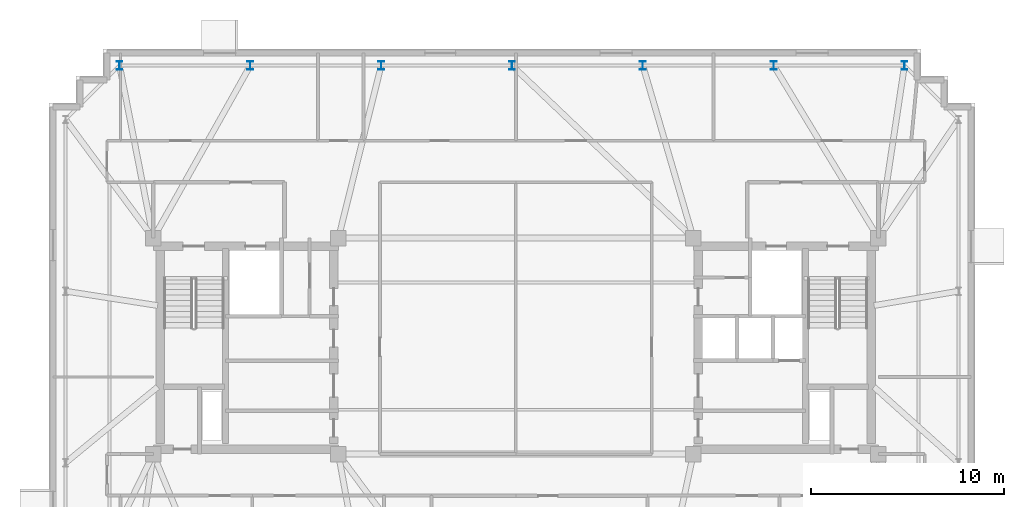
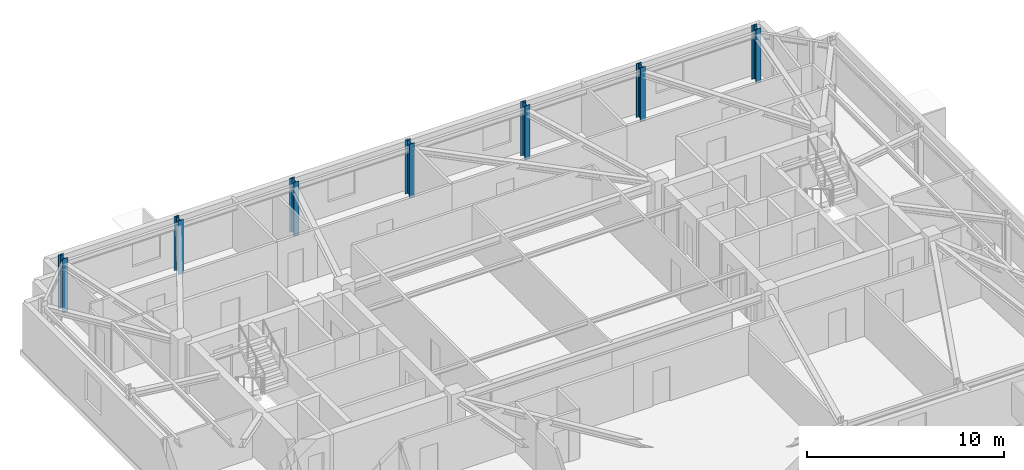
# One storey, part 3 of 10: 7 columns.
"""IFC4 building model written with IfcOpenShell, lengths in metres."""

from ifc_helpers import new_model, si_unit, direction, frame, origin, origin_2d, place, context, subcontext, project, spatial, i_section, extrude, material, material_profile, profile_set, type_object, element, save


model = new_model("IFC4")

# Units and contexts
model_context = context("Model", 3, precision=1e-05, world=origin(), true_north=direction((0.0, 1.0)))
body_context = subcontext(model_context, "Body", "Model", "MODEL_VIEW")
ifc_project = project(units=[si_unit("LENGTHUNIT", "METRE"), si_unit("AREAUNIT", "SQUARE_METRE"), si_unit("VOLUMEUNIT", "CUBIC_METRE"), si_unit("PLANEANGLEUNIT", "RADIAN"), si_unit("MASSUNIT", "GRAM", prefix="KILO")], contexts=[model_context])

# Site, building, storey
site_placement = place(None, origin())
site = spatial("IfcSite", under=ifc_project, at=site_placement, CompositionType="ELEMENT")
building_placement = place(site_placement, origin())
building = spatial("IfcBuilding", under=site, at=building_placement, Name="Qobustan Lattice House", CompositionType="ELEMENT")
storey_placement = place(building_placement, frame((0.0, 0.0, 238.35009765625)))
storey = spatial("IfcBuildingStorey", under=building, at=storey_placement, Name="L67", CompositionType="ELEMENT", Elevation=238.35009765625)

# Columns
ifc_material = material(Name="Steel S355", Category="steel")
ifc_material_profile = material_profile(ifc_material, i_section(OverallWidth=0.300048828125, OverallDepth=0.449951171875, WebThickness=0.013916015625, FlangeThickness=0.02587890625, FilletRadius=0.027099609375, at=origin_2d()), Name="HEB450")
ifc_profile_set = profile_set([ifc_material_profile], Name="Steel S355")
column_type = type_object("IfcColumnType", Name="COL-ST-HEB450", PredefinedType="COLUMN", material=ifc_profile_set)
for number, where, z_axis, x_axis, name in (
    (1, (20.14990234375, 14.550048828125, 0.0), (0.0, 0.0, 1.0), (1.0, 0.0, 0.0), "L67 B5 perimeter column N1"),
    (2, (13.36669921875, 14.550048828125, 0.0), (0.0, 0.0, 1.0), (1.0, 0.0, 0.0), "L67 B5 perimeter column N2"),
    (3, (6.583251953125, 14.550048828125, 0.0), (0.0, 0.0, 1.0), (1.0, 0.0, 0.0), "L67 B5 perimeter column N3"),
    (4, (-0.199951171875, 14.550048828125, 0.0), (0.0, 0.0, 1.0), (1.0, 0.0, 0.0), "L67 B5 perimeter column N4"),
    (5, (-6.9833984375, 14.550048828125, 0.0), (0.0, 0.0, 1.0), (1.0, 0.0, 0.0), "L67 B5 perimeter column N5"),
    (6, (-13.7666015625, 14.550048828125, 0.0), (0.0, 0.0, 1.0), (1.0, 0.0, 0.0), "L67 B5 perimeter column N6"),
    (7, (-20.550048828125, 14.550048828125, 0.0), (0.0, 0.0, 1.0), (1.0, 0.0, 0.0), "L67 B5 perimeter column N7"),
):
    element("IfcColumn", number, at=place(storey_placement, frame(where, z_axis=z_axis, x_axis=x_axis)), inside=storey, type_object=column_type, Name=name, PredefinedType="COLUMN", context=body_context, shape_type="SweptSolid", body=[
        extrude(i_section(OverallWidth=0.300048828125, OverallDepth=0.449951171875, WebThickness=0.013916015625, FlangeThickness=0.02587890625, FilletRadius=0.027099609375, at=origin_2d()), origin(), (0.0, 0.0, 1.0), 3.349853515625),
    ])

save(model, "model.ifc")
